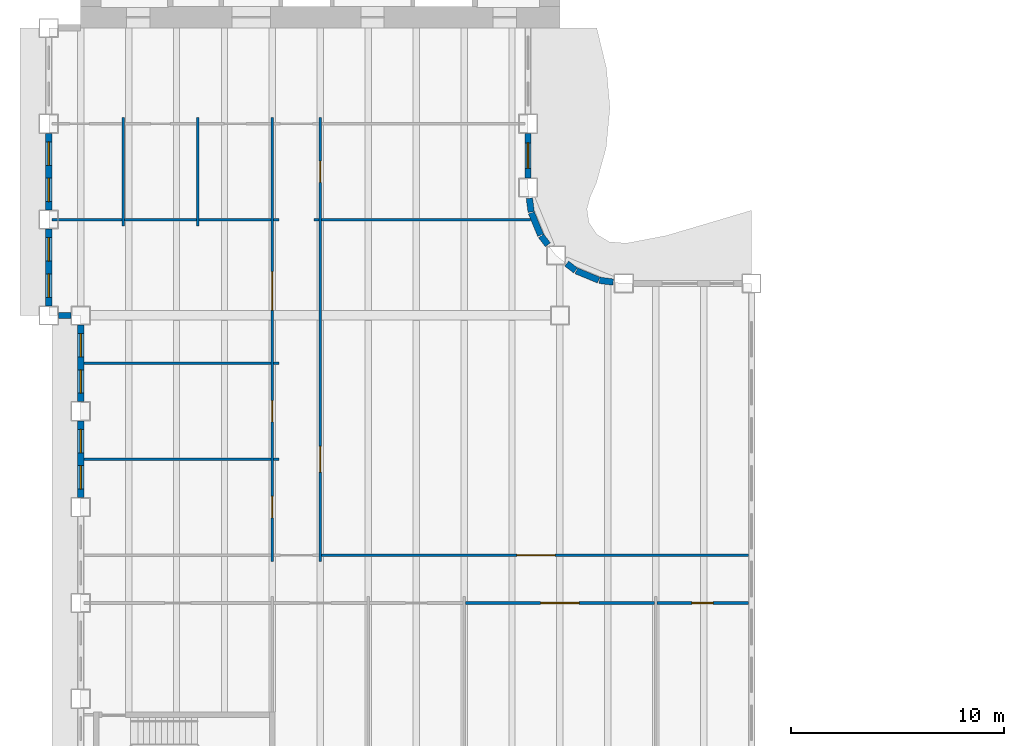
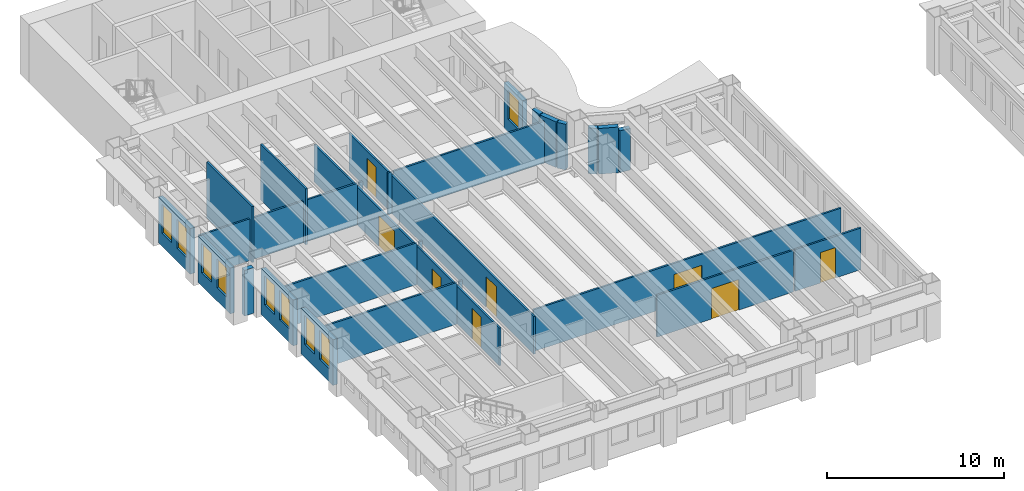
# One storey, part 4 of 13: 29 walls, 9 windows, 8 doors, 17 openings.
"""IFC4 building model written with IfcOpenShell, lengths in metres."""

from ifc_helpers import new_model, si_unit, direction, frame, frame_2d, origin, place, context, subcontext, project, spatial, rectangle, extrude, material, layer, layer_set, type_object, element, fill, save


model = new_model("IFC4")

# Units and contexts
model_context = context("Model", 3, precision=1e-05, world=origin(), true_north=direction((0.0, 1.0)))
body_context = subcontext(model_context, "Body", "Model", "MODEL_VIEW")
ifc_project = project(units=[si_unit("LENGTHUNIT", "METRE"), si_unit("AREAUNIT", "SQUARE_METRE"), si_unit("VOLUMEUNIT", "CUBIC_METRE"), si_unit("PLANEANGLEUNIT", "RADIAN"), si_unit("MASSUNIT", "GRAM", prefix="KILO")], contexts=[model_context])

# Site, building, storey
site_placement = place(None, origin())
site = spatial("IfcSite", under=ifc_project, at=site_placement, CompositionType="ELEMENT")
building_placement = place(site_placement, origin())
building = spatial("IfcBuilding", under=site, at=building_placement, Name="Sennacour Bend Tower", CompositionType="ELEMENT")
storey_placement = place(building_placement, frame((0.0, 0.0, 143.0)))
storey = spatial("IfcBuildingStorey", under=building, at=storey_placement, Name="L32", CompositionType="ELEMENT", Elevation=143.0)

# Walls
ifc_material_1 = material(Name="Plasterboard partition on steel studs", Category="steel")
ifc_layer_1 = layer(ifc_material_1, 0.1201171875, Name="Plasterboard partition on steel studs", Category="steel")
ifc_layer_set_1 = layer_set([ifc_layer_1], Name="Plasterboard partition on steel studs")
wall_type_1 = type_object("IfcWallType", Name="Partition 120", PredefinedType="PARTITIONING", material=ifc_layer_set_1)
for number, where, z_axis, x_axis, name in (
    (1, (2.0, 26.699951171875, 0.0), (0.0, 0.0, 1.0), (0.0, 1.0, 0.0), "P-L32-W004a"),
    (2, (5.5, 26.699951171875, 0.0), (0.0, 0.0, 1.0), (0.0, 1.0, 0.0), "P-L32-W007a"),
):
    element("IfcWall", number, at=place(storey_placement, frame(where, z_axis=z_axis, x_axis=x_axis)), inside=storey, type_object=wall_type_1, Name=name, PredefinedType="PARTITIONING", context=body_context, shape_type="SweptSolid", body=[
        extrude(rectangle(XDim=5.10009765625, YDim=0.1201171875, at=frame_2d((2.550048828125, 0.0))), origin(), (0.0, 0.0, 1.0), 3.85009765625),
    ])

# Wall, openings, doors
wall_1_placement = place(storey_placement, frame((9.0, 10.949951171875, 0.0), z_axis=(0.0, 0.0, 1.0), x_axis=(0.0, 1.0, 0.0)))
wall_1 = element("IfcWall", 3, at=wall_1_placement, inside=storey, type_object=wall_type_1, Name="P-L32-W012a", PredefinedType="PARTITIONING", context=body_context, shape_type="SweptSolid", body=[
    extrude(rectangle(XDim=20.85009765625, YDim=0.1201171875, at=frame_2d((10.425048828125, 0.0))), origin(), (0.0, 0.0, 1.0), 2.60009765625),
])
opening_1_placement = place(wall_1_placement, frame((2.050048828125, 0.0, 0.0)))
opening_1 = element("IfcOpeningElement", 4, at=opening_1_placement, cuts=wall_1, Name="Opening OD2", PredefinedType="OPENING", context=body_context, shape_type="SweptSolid", body=[
    extrude(rectangle(XDim=1.0, YDim=2.10009765625, at=frame_2d((0.5, 1.050048828125))), frame((0.0, 0.070068359375, 0.0), z_axis=(0.0, -1.0, 0.0), x_axis=(1.0, 0.0, 0.0)), (0.0, 0.0, 1.0), 0.14013671875),
])
opening_2_placement = place(wall_1_placement, frame((6.550048828125, 0.0, 0.0)))
opening_2 = element("IfcOpeningElement", 5, at=opening_2_placement, cuts=wall_1, Name="Opening OD2", PredefinedType="OPENING", context=body_context, shape_type="SweptSolid", body=[
    extrude(rectangle(XDim=1.0, YDim=2.10009765625, at=frame_2d((0.5, 1.050048828125))), frame((0.0, 0.070068359375, 0.0), z_axis=(0.0, -1.0, 0.0), x_axis=(1.0, 0.0, 0.0)), (0.0, 0.0, 1.0), 0.14013671875),
])
opening_3_placement = place(wall_1_placement, frame((11.804931640625, 0.0, 0.0)))
opening_3 = element("IfcOpeningElement", 6, at=opening_3_placement, cuts=wall_1, Name="Opening OD3", PredefinedType="OPENING", context=body_context, shape_type="SweptSolid", body=[
    extrude(rectangle(XDim=1.800048828125, YDim=2.10009765625, at=frame_2d((0.89990234375, 1.050048828125))), frame((0.0, 0.070068359375, 0.0), z_axis=(0.0, -1.0, 0.0), x_axis=(1.0, 0.0, 0.0)), (0.0, 0.0, 1.0), 0.14013671875),
])
ifc_material_2 = material(Name="Timber", Category="wood")
door_type_1 = type_object("IfcDoorType", Name="DR-OFFICE-1000", OperationType="NOTDEFINED", PredefinedType="DOOR", material=ifc_material_2)
door_1_placement = place(opening_1_placement, origin())
door_1 = element("IfcDoor", 7, at=door_1_placement, inside=storey, type_object=door_type_1, Name="Door", OperationType="SINGLE_SWING_LEFT", OverallHeight=2.10009765625, OverallWidth=1.0, PredefinedType="DOOR", context=body_context, shape_type="SweptSolid", body=[
    extrude(rectangle(XDim=1.0, YDim=2.10009765625, at=frame_2d((0.5, 1.050048828125))), frame((0.0, 0.02490234375, 0.0), z_axis=(0.0, -1.0, 0.0), x_axis=(1.0, 0.0, 0.0)), (0.0, 0.0, 1.0), 0.050048828125),
])
fill(opening_1, door_1)
door_2_placement = place(opening_2_placement, origin())
door_2 = element("IfcDoor", 8, at=door_2_placement, inside=storey, type_object=door_type_1, Name="Door", OperationType="SINGLE_SWING_LEFT", OverallHeight=2.10009765625, OverallWidth=1.0, PredefinedType="DOOR", context=body_context, shape_type="SweptSolid", body=[
    extrude(rectangle(XDim=1.0, YDim=2.10009765625, at=frame_2d((0.5, 1.050048828125))), frame((0.0, 0.02490234375, 0.0), z_axis=(0.0, -1.0, 0.0), x_axis=(1.0, 0.0, 0.0)), (0.0, 0.0, 1.0), 0.050048828125),
])
fill(opening_2, door_2)
door_type_2 = type_object("IfcDoorType", Name="DR-OFFICE-1800", OperationType="NOTDEFINED", PredefinedType="DOOR", material=ifc_material_2)
door_3_placement = place(opening_3_placement, origin())
door_3 = element("IfcDoor", 9, at=door_3_placement, inside=storey, type_object=door_type_2, Name="Door", OperationType="DOUBLE_DOOR_SINGLE_SWING", OverallHeight=2.10009765625, OverallWidth=1.800048828125, PredefinedType="DOOR", context=body_context, shape_type="SweptSolid", body=[
    extrude(rectangle(XDim=1.800048828125, YDim=2.10009765625, at=frame_2d((0.89990234375, 1.050048828125))), frame((0.0, 0.02490234375, 0.0), z_axis=(0.0, -1.0, 0.0), x_axis=(1.0, 0.0, 0.0)), (0.0, 0.0, 1.0), 0.050048828125),
])
fill(opening_3, door_3)

wall_2_placement = place(storey_placement, frame((11.25, 10.949951171875, 0.0), z_axis=(0.0, 0.0, 1.0), x_axis=(0.0, 1.0, 0.0)))
wall_2 = element("IfcWall", 10, at=wall_2_placement, inside=storey, type_object=wall_type_1, Name="P-L32-W014a", PredefinedType="PARTITIONING", context=body_context, shape_type="SweptSolid", body=[
    extrude(rectangle(XDim=20.85009765625, YDim=0.1201171875, at=frame_2d((10.425048828125, 0.0))), origin(), (0.0, 0.0, 1.0), 2.60009765625),
])
opening_4_placement = place(wall_2_placement, frame((17.800048828125, 0.0, 0.0)))
opening_4 = element("IfcOpeningElement", 11, at=opening_4_placement, cuts=wall_2, Name="Opening OD2", PredefinedType="OPENING", context=body_context, shape_type="SweptSolid", body=[
    extrude(rectangle(XDim=1.0, YDim=2.10009765625, at=frame_2d((0.5, 1.050048828125))), frame((0.0, 0.070068359375, 0.0), z_axis=(0.0, -1.0, 0.0), x_axis=(1.0, 0.0, 0.0)), (0.0, 0.0, 1.0), 0.14013671875),
])
opening_5_placement = place(wall_2_placement, frame((4.199951171875, 0.0, 0.0)))
opening_5 = element("IfcOpeningElement", 12, at=opening_5_placement, cuts=wall_2, Name="Opening OD", PredefinedType="OPENING", context=body_context, shape_type="SweptSolid", body=[
    extrude(rectangle(XDim=1.199951171875, YDim=2.10009765625, at=frame_2d((0.60009765625, 1.050048828125))), frame((0.0, 0.070068359375, 0.0), z_axis=(0.0, -1.0, 0.0), x_axis=(1.0, 0.0, 0.0)), (0.0, 0.0, 1.0), 0.14013671875),
])
door_4_placement = place(opening_4_placement, origin())
door_4 = element("IfcDoor", 13, at=door_4_placement, inside=storey, type_object=door_type_1, Name="Door", OperationType="SINGLE_SWING_RIGHT", OverallHeight=2.10009765625, OverallWidth=1.0, PredefinedType="DOOR", context=body_context, shape_type="SweptSolid", body=[
    extrude(rectangle(XDim=1.0, YDim=2.10009765625, at=frame_2d((0.5, 1.050048828125))), frame((0.0, 0.02490234375, 0.0), z_axis=(0.0, -1.0, 0.0), x_axis=(1.0, 0.0, 0.0)), (0.0, 0.0, 1.0), 0.050048828125),
])
fill(opening_4, door_4)
door_type_3 = type_object("IfcDoorType", Name="DR-OFFICE-1200", OperationType="NOTDEFINED", PredefinedType="DOOR", material=ifc_material_2)
door_5_placement = place(opening_5_placement, origin())
door_5 = element("IfcDoor", 14, at=door_5_placement, inside=storey, type_object=door_type_3, Name="Door", OperationType="SINGLE_SWING_LEFT", OverallHeight=2.10009765625, OverallWidth=1.199951171875, PredefinedType="DOOR", context=body_context, shape_type="SweptSolid", body=[
    extrude(rectangle(XDim=1.199951171875, YDim=2.10009765625, at=frame_2d((0.60009765625, 1.050048828125))), frame((0.0, 0.02490234375, 0.0), z_axis=(0.0, -1.0, 0.0), x_axis=(1.0, 0.0, 0.0)), (0.0, 0.0, 1.0), 0.050048828125),
])
fill(opening_5, door_5)

# Wall, opening, door
wall_3_placement = place(storey_placement, frame((18.06005859375, 9.0, 0.0), z_axis=(0.0, 0.0, 1.0), x_axis=(1.0, 0.0, 0.0)))
wall_3 = element("IfcWall", 15, at=wall_3_placement, inside=storey, type_object=wall_type_1, Name="P-L32-W051ad", PredefinedType="PARTITIONING", context=body_context, shape_type="SweptSolid", body=[
    extrude(rectangle(XDim=8.8798828125, YDim=0.1201171875, at=frame_2d((4.43994140625, 0.0))), origin(), (0.0, 0.0, 1.0), 2.8701171875),
])
opening_6_placement = place(wall_3_placement, frame((3.539794921875, 0.0, 0.0)))
opening_6 = element("IfcOpeningElement", 16, at=opening_6_placement, cuts=wall_3, Name="Opening OD3", PredefinedType="OPENING", context=body_context, shape_type="SweptSolid", body=[
    extrude(rectangle(XDim=1.800048828125, YDim=2.10009765625, at=frame_2d((0.89990234375, 1.050048828125))), frame((0.0, 0.070068359375, 0.0), z_axis=(0.0, -1.0, 0.0), x_axis=(1.0, 0.0, 0.0)), (0.0, 0.0, 1.0), 0.14013671875),
])
door_6_placement = place(opening_6_placement, origin())
door_6 = element("IfcDoor", 17, at=door_6_placement, inside=storey, type_object=door_type_2, Name="Door", OperationType="DOUBLE_DOOR_SINGLE_SWING", OverallHeight=2.10009765625, OverallWidth=1.800048828125, PredefinedType="DOOR", context=body_context, shape_type="SweptSolid", body=[
    extrude(rectangle(XDim=1.800048828125, YDim=2.10009765625, at=frame_2d((0.89990234375, 1.050048828125))), frame((0.0, 0.02490234375, 0.0), z_axis=(0.0, -1.0, 0.0), x_axis=(1.0, 0.0, 0.0)), (0.0, 0.0, 1.0), 0.050048828125),
])
fill(opening_6, door_6)

wall_4_placement = place(storey_placement, frame((27.06005859375, 9.0, 0.0), z_axis=(0.0, 0.0, 1.0), x_axis=(1.0, 0.0, 0.0)))
wall_4 = element("IfcWall", 18, at=wall_4_placement, inside=storey, type_object=wall_type_1, Name="P-L32-W051ae", PredefinedType="PARTITIONING", context=body_context, shape_type="SweptSolid", body=[
    extrude(rectangle(XDim=4.2900390625, YDim=0.1201171875, at=frame_2d((2.14501953125, 0.0))), origin(), (0.0, 0.0, 1.0), 2.8701171875),
])
opening_7_placement = place(wall_4_placement, frame((1.635009765625, 0.0, 0.0)))
opening_7 = element("IfcOpeningElement", 19, at=opening_7_placement, cuts=wall_4, Name="Opening OD2", PredefinedType="OPENING", context=body_context, shape_type="SweptSolid", body=[
    extrude(rectangle(XDim=1.0, YDim=2.10009765625, at=frame_2d((0.5, 1.050048828125))), frame((0.0, 0.070068359375, 0.0), z_axis=(0.0, -1.0, 0.0), x_axis=(1.0, 0.0, 0.0)), (0.0, 0.0, 1.0), 0.14013671875),
])
door_7_placement = place(opening_7_placement, origin())
door_7 = element("IfcDoor", 20, at=door_7_placement, inside=storey, type_object=door_type_1, Name="Door", OperationType="SINGLE_SWING_LEFT", OverallHeight=2.10009765625, OverallWidth=1.0, PredefinedType="DOOR", context=body_context, shape_type="SweptSolid", body=[
    extrude(rectangle(XDim=1.0, YDim=2.10009765625, at=frame_2d((0.5, 1.050048828125))), frame((0.0, 0.02490234375, 0.0), z_axis=(0.0, -1.0, 0.0), x_axis=(1.0, 0.0, 0.0)), (0.0, 0.0, 1.0), 0.050048828125),
])
fill(opening_7, door_7)

wall_5_placement = place(storey_placement, frame((11.31005859375, 11.25, 0.0), z_axis=(0.0, 0.0, 1.0), x_axis=(1.0, 0.0, 0.0)))
wall_5 = element("IfcWall", 21, at=wall_5_placement, inside=storey, type_object=wall_type_1, Name="P-L32-W054ac", PredefinedType="PARTITIONING", context=body_context, shape_type="SweptSolid", body=[
    extrude(rectangle(XDim=20.0400390625, YDim=0.1201171875, at=frame_2d((10.02001953125, 0.0))), origin(), (0.0, 0.0, 1.0), 2.8701171875),
])
opening_8_placement = place(wall_5_placement, frame((9.164794921875, 0.0, 0.0)))
opening_8 = element("IfcOpeningElement", 22, at=opening_8_placement, cuts=wall_5, Name="Opening OD3", PredefinedType="OPENING", context=body_context, shape_type="SweptSolid", body=[
    extrude(rectangle(XDim=1.800048828125, YDim=2.10009765625, at=frame_2d((0.89990234375, 1.050048828125))), frame((0.0, 0.070068359375, 0.0), z_axis=(0.0, -1.0, 0.0), x_axis=(1.0, 0.0, 0.0)), (0.0, 0.0, 1.0), 0.14013671875),
])
door_8_placement = place(opening_8_placement, origin())
door_8 = element("IfcDoor", 23, at=door_8_placement, inside=storey, type_object=door_type_2, Name="Door", OperationType="DOUBLE_DOOR_SINGLE_SWING", OverallHeight=2.10009765625, OverallWidth=1.800048828125, PredefinedType="DOOR", context=body_context, shape_type="SweptSolid", body=[
    extrude(rectangle(XDim=1.800048828125, YDim=2.10009765625, at=frame_2d((0.89990234375, 1.050048828125))), frame((0.0, 0.02490234375, 0.0), z_axis=(0.0, -1.0, 0.0), x_axis=(1.0, 0.0, 0.0)), (0.0, 0.0, 1.0), 0.050048828125),
])
fill(opening_8, door_8)

# Walls
wall_6_placement = place(storey_placement, frame((0.14990234375, 15.75, 0.0), z_axis=(0.0, 0.0, 1.0), x_axis=(1.0, 0.0, 0.0)))
element("IfcWall", 24, at=wall_6_placement, inside=storey, type_object=wall_type_1, Name="P-L32-W058aa", PredefinedType="PARTITIONING", context=body_context, shape_type="SweptSolid", body=[
    extrude(rectangle(XDim=8.7900390625, YDim=0.1201171875, at=frame_2d((4.39501953125, 0.0))), origin(), (0.0, 0.0, 1.0), 2.8701171875),
])
wall_7_placement = place(storey_placement, frame((9.06005859375, 15.75, 0.0), z_axis=(0.0, 0.0, 1.0), x_axis=(1.0, 0.0, 0.0)))
element("IfcWall", 25, at=wall_7_placement, inside=storey, type_object=wall_type_1, Name="P-L32-W058ab", PredefinedType="PARTITIONING", context=body_context, shape_type="SweptSolid", body=[
    extrude(rectangle(XDim=0.239990234375, YDim=0.1201171875, at=frame_2d((0.1201171875, 0.0))), origin(), (0.0, 0.0, 1.0), 2.8701171875),
])
wall_8_placement = place(storey_placement, frame((0.14990234375, 20.25, 0.0), z_axis=(0.0, 0.0, 1.0), x_axis=(1.0, 0.0, 0.0)))
element("IfcWall", 26, at=wall_8_placement, inside=storey, type_object=wall_type_1, Name="P-L32-W063aa", PredefinedType="PARTITIONING", context=body_context, shape_type="SweptSolid", body=[
    extrude(rectangle(XDim=8.7900390625, YDim=0.1201171875, at=frame_2d((4.39501953125, 0.0))), origin(), (0.0, 0.0, 1.0), 2.8701171875),
])
wall_9_placement = place(storey_placement, frame((9.06005859375, 20.25, 0.0), z_axis=(0.0, 0.0, 1.0), x_axis=(1.0, 0.0, 0.0)))
element("IfcWall", 27, at=wall_9_placement, inside=storey, type_object=wall_type_1, Name="P-L32-W063ab", PredefinedType="PARTITIONING", context=body_context, shape_type="SweptSolid", body=[
    extrude(rectangle(XDim=0.239990234375, YDim=0.1201171875, at=frame_2d((0.1201171875, 0.0))), origin(), (0.0, 0.0, 1.0), 2.8701171875),
])
wall_10_placement = place(storey_placement, frame((-1.35009765625, 27.0, 0.0), z_axis=(0.0, 0.0, 1.0), x_axis=(1.0, 0.0, 0.0)))
element("IfcWall", 28, at=wall_10_placement, inside=storey, type_object=wall_type_1, Name="P-L32-W067aa", PredefinedType="PARTITIONING", context=body_context, shape_type="SweptSolid", body=[
    extrude(rectangle(XDim=3.2900390625, YDim=0.1201171875, at=frame_2d((1.64501953125, 0.0))), origin(), (0.0, 0.0, 1.0), 2.8701171875),
])
for number, where, z_axis, x_axis, name in (
    (29, (2.06005859375, 27.0, 0.0), (0.0, 0.0, 1.0), (1.0, 0.0, 0.0), "P-L32-W067ab"),
    (30, (5.56005859375, 27.0, 0.0), (0.0, 0.0, 1.0), (1.0, 0.0, 0.0), "P-L32-W067ac"),
):
    element("IfcWall", number, at=place(storey_placement, frame(where, z_axis=z_axis, x_axis=x_axis)), inside=storey, type_object=wall_type_1, Name=name, PredefinedType="PARTITIONING", context=body_context, shape_type="SweptSolid", body=[
        extrude(rectangle(XDim=3.3798828125, YDim=0.1201171875, at=frame_2d((1.68994140625, 0.0))), origin(), (0.0, 0.0, 1.0), 2.8701171875),
    ])
for number, where, z_axis, x_axis, name in (
    (31, (9.06005859375, 27.0, 0.0), (0.0, 0.0, 1.0), (1.0, 0.0, 0.0), "P-L32-W067ad"),
    (32, (10.949951171875, 27.0, 0.0), (0.0, 0.0, 1.0), (1.0, 0.0, 0.0), "P-L32-W068aa"),
):
    element("IfcWall", number, at=place(storey_placement, frame(where, z_axis=z_axis, x_axis=x_axis)), inside=storey, type_object=wall_type_1, Name=name, PredefinedType="PARTITIONING", context=body_context, shape_type="SweptSolid", body=[
        extrude(rectangle(XDim=0.239990234375, YDim=0.1201171875, at=frame_2d((0.1201171875, 0.0))), origin(), (0.0, 0.0, 1.0), 2.8701171875),
    ])
wall_11_placement = place(storey_placement, frame((11.31005859375, 27.0, 0.0), z_axis=(0.0, 0.0, 1.0), x_axis=(1.0, 0.0, 0.0)))
element("IfcWall", 33, at=wall_11_placement, inside=storey, type_object=wall_type_1, Name="P-L32-W068ab", PredefinedType="PARTITIONING", context=body_context, shape_type="SweptSolid", body=[
    extrude(rectangle(XDim=9.81982421875, YDim=0.1201171875, at=frame_2d((4.909912109375, 0.0))), origin(), (0.0, 0.0, 1.0), 2.8701171875),
])
ifc_material_3 = material(Name="Warm limestone cladding", Category="masonry")
ifc_layer_2 = layer(ifc_material_3, 0.050048828125, Name="Warm limestone cladding", Category="masonry")
ifc_material_4 = material(Name="Precast concrete C40/50", Category="concrete")
ifc_layer_3 = layer(ifc_material_4, 0.25, Name="Precast concrete C40/50", Category="concrete")
ifc_layer_set_2 = layer_set([ifc_layer_2, ifc_layer_3], Name="Precast concrete C40/50 with limestone cladding")
wall_type_2 = type_object("IfcWallType", Name="STONE-CLAD PRECAST SPANDREL 300", PredefinedType="STANDARD", material=ifc_layer_set_2)
wall_12_placement = place(storey_placement, frame((24.99951171875, 24.06591796875, 0.0), z_axis=(0.0, 0.0, 1.0), x_axis=(-0.991423590996, 0.130687655177, 0.0)))
element("IfcWall", 34, at=wall_12_placement, inside=storey, type_object=wall_type_2, Name="Stone spandrel and pier wall L32 09.00", PredefinedType="STANDARD", context=body_context, shape_type="SweptSolid", body=[
    extrude(rectangle(XDim=0.650146484375, YDim=0.300048828125, at=frame_2d((0.3251953125, 0.0))), origin(), (0.0, 0.0, 1.0), 2.8701171875),
])
wall_13_placement = place(storey_placement, frame((24.317138671875, 24.160888671875, 0.0), z_axis=(0.0, 0.0, 1.0), x_axis=(-0.923914616768, 0.382598720491, 0.0)))
element("IfcWall", 35, at=wall_13_placement, inside=storey, type_object=wall_type_2, Name="Stone spandrel and pier wall L32 10.00", PredefinedType="STANDARD", context=body_context, shape_type="SweptSolid", body=[
    extrude(rectangle(XDim=1.13525390625, YDim=0.300048828125, at=frame_2d((0.567626953125, 0.0))), origin(), (0.0, 0.0, 1.0), 3.14892578125),
])
for number, where, z_axis, x_axis, name in (
    (36, (23.234375, 24.614990234375, 0.0), (0.0, 0.0, 1.0), (-0.793523857856, 0.608539141726, 0.0), "Stone spandrel and pier wall L32 11.00"),
    (37, (21.933837890625, 25.818603515625, 0.0), (0.0, 0.0, 1.0), (-0.608539141726, 0.793523857856, 0.0), "Stone spandrel and pier wall L32 12.00"),
):
    element("IfcWall", number, at=place(storey_placement, frame(where, z_axis=z_axis, x_axis=x_axis)), inside=storey, type_object=wall_type_2, Name=name, PredefinedType="STANDARD", context=body_context, shape_type="SweptSolid", body=[
        extrude(rectangle(XDim=0.52392578125, YDim=0.300048828125, at=frame_2d((0.261962890625, 0.0))), origin(), (0.0, 0.0, 1.0), 3.14892578125),
    ])
wall_14_placement = place(storey_placement, frame((21.59521484375, 26.268310546875, 0.0), z_axis=(0.0, 0.0, 1.0), x_axis=(-0.382598720491, 0.923914616768, 0.0)))
element("IfcWall", 38, at=wall_14_placement, inside=storey, type_object=wall_type_2, Name="Stone spandrel and pier wall L32 13.00", PredefinedType="STANDARD", context=body_context, shape_type="SweptSolid", body=[
    extrude(rectangle(XDim=1.13525390625, YDim=0.300048828125, at=frame_2d((0.567626953125, 0.0))), origin(), (0.0, 0.0, 1.0), 3.14892578125),
])
wall_15_placement = place(storey_placement, frame((21.15087890625, 27.35498046875, 0.0), z_axis=(0.0, 0.0, 1.0), x_axis=(-0.130687655177, 0.991423590996, 0.0)))
element("IfcWall", 39, at=wall_15_placement, inside=storey, type_object=wall_type_2, Name="Stone spandrel and pier wall L32 14.00", PredefinedType="STANDARD", context=body_context, shape_type="SweptSolid", body=[
    extrude(rectangle(XDim=0.650146484375, YDim=0.300048828125, at=frame_2d((0.3251953125, 0.0))), origin(), (0.0, 0.0, 1.0), 3.14892578125),
])

# Wall, opening, window
wall_16_placement = place(storey_placement, frame((21.0, 28.949951171875, 0.0), z_axis=(0.0, 0.0, 1.0), x_axis=(0.0, 1.0, 0.0)))
wall_16 = element("IfcWall", 40, at=wall_16_placement, inside=storey, type_object=wall_type_2, Name="Stone spandrel and pier wall L32 15.00", PredefinedType="STANDARD", context=body_context, shape_type="SweptSolid", body=[
    extrude(rectangle(XDim=2.10009765625, YDim=0.300048828125, at=frame_2d((1.050048828125, 0.0))), origin(), (0.0, 0.0, 1.0), 3.14892578125),
])
opening_9_placement = place(wall_16_placement, frame((0.449951171875, 0.0, 0.89990234375)))
opening_9 = element("IfcOpeningElement", 41, at=opening_9_placement, cuts=wall_16, Name="Opening W14", PredefinedType="OPENING", context=body_context, shape_type="SweptSolid", body=[
    extrude(rectangle(XDim=1.199951171875, YDim=2.0, at=frame_2d((0.60009765625, 1.0))), frame((0.0, 0.16015625, 0.0), z_axis=(0.0, -1.0, 0.0), x_axis=(1.0, 0.0, 0.0)), (0.0, 0.0, 1.0), 0.320068359375),
])
ifc_material_5 = material(Name="Clear low-emissivity glass", Category="glass")
window_type_1 = type_object("IfcWindowType", Name="WIN-RIBBON-1200x2000", PartitioningType="SINGLE_PANEL", PredefinedType="WINDOW", material=ifc_material_5)
window_1_placement = place(opening_9_placement, origin())
window_1 = element("IfcWindow", 42, at=window_1_placement, inside=storey, type_object=window_type_1, Name="Ribbon window L32 15.00", OverallHeight=2.0, OverallWidth=1.199951171875, PartitioningType="SINGLE_PANEL", PredefinedType="WINDOW", context=body_context, shape_type="SweptSolid", body=[
    extrude(rectangle(XDim=1.199951171875, YDim=2.0, at=frame_2d((0.60009765625, 1.0))), frame((0.0, 0.030029296875, 0.0), z_axis=(0.0, -1.0, 0.0), x_axis=(1.0, 0.0, 0.0)), (0.0, 0.0, 1.0), 0.06005859375),
])
fill(opening_9, window_1)

# Wall, openings, windows
wall_17_placement = place(storey_placement, frame((-1.5, 31.050048828125, 0.0), z_axis=(0.0, 0.0, 1.0), x_axis=(0.0, -1.0, 0.0)))
wall_17 = element("IfcWall", 43, at=wall_17_placement, inside=storey, type_object=wall_type_2, Name="Stone spandrel and pier wall L32 21.01", PredefinedType="STANDARD", context=body_context, shape_type="SweptSolid", body=[
    extrude(rectangle(XDim=3.60009765625, YDim=0.300048828125, at=frame_2d((1.800048828125, 0.0))), origin(), (0.0, 0.0, 1.0), 3.14892578125),
])
opening_10_placement = place(wall_17_placement, frame((0.39990234375, 0.0, 0.89990234375)))
opening_10 = element("IfcOpeningElement", 44, at=opening_10_placement, cuts=wall_17, Name="Opening W19", PredefinedType="OPENING", context=body_context, shape_type="SweptSolid", body=[
    extrude(rectangle(XDim=1.10009765625, YDim=2.0, at=frame_2d((0.550048828125, 1.0))), frame((0.0, 0.16015625, 0.0), z_axis=(0.0, -1.0, 0.0), x_axis=(1.0, 0.0, 0.0)), (0.0, 0.0, 1.0), 0.320068359375),
])
opening_11_placement = place(wall_17_placement, frame((2.10009765625, 0.0, 0.89990234375)))
opening_11 = element("IfcOpeningElement", 45, at=opening_11_placement, cuts=wall_17, Name="Opening W19", PredefinedType="OPENING", context=body_context, shape_type="SweptSolid", body=[
    extrude(rectangle(XDim=1.10009765625, YDim=2.0, at=frame_2d((0.550048828125, 1.0))), frame((0.0, 0.16015625, 0.0), z_axis=(0.0, -1.0, 0.0), x_axis=(1.0, 0.0, 0.0)), (0.0, 0.0, 1.0), 0.320068359375),
])
window_type_2 = type_object("IfcWindowType", Name="WIN-RIBBON-1100x2000", PartitioningType="SINGLE_PANEL", PredefinedType="WINDOW", material=ifc_material_5)
window_2_placement = place(opening_10_placement, origin())
window_2 = element("IfcWindow", 46, at=window_2_placement, inside=storey, type_object=window_type_2, Name="Ribbon window L32 21.01.0", OverallHeight=2.0, OverallWidth=1.10009765625, PartitioningType="SINGLE_PANEL", PredefinedType="WINDOW", context=body_context, shape_type="SweptSolid", body=[
    extrude(rectangle(XDim=1.10009765625, YDim=2.0, at=frame_2d((0.550048828125, 1.0))), frame((0.0, 0.030029296875, 0.0), z_axis=(0.0, -1.0, 0.0), x_axis=(1.0, 0.0, 0.0)), (0.0, 0.0, 1.0), 0.06005859375),
])
fill(opening_10, window_2)
window_3_placement = place(opening_11_placement, origin())
window_3 = element("IfcWindow", 47, at=window_3_placement, inside=storey, type_object=window_type_2, Name="Ribbon window L32 21.01.1", OverallHeight=2.0, OverallWidth=1.10009765625, PartitioningType="SINGLE_PANEL", PredefinedType="WINDOW", context=body_context, shape_type="SweptSolid", body=[
    extrude(rectangle(XDim=1.10009765625, YDim=2.0, at=frame_2d((0.550048828125, 1.0))), frame((0.0, 0.030029296875, 0.0), z_axis=(0.0, -1.0, 0.0), x_axis=(1.0, 0.0, 0.0)), (0.0, 0.0, 1.0), 0.06005859375),
])
fill(opening_11, window_3)

wall_18_placement = place(storey_placement, frame((-1.5, 26.550048828125, 0.0), z_axis=(0.0, 0.0, 1.0), x_axis=(0.0, -1.0, 0.0)))
wall_18 = element("IfcWall", 48, at=wall_18_placement, inside=storey, type_object=wall_type_2, Name="Stone spandrel and pier wall L32 21.02", PredefinedType="STANDARD", context=body_context, shape_type="SweptSolid", body=[
    extrude(rectangle(XDim=3.60009765625, YDim=0.300048828125, at=frame_2d((1.800048828125, 0.0))), origin(), (0.0, 0.0, 1.0), 3.14892578125),
])
opening_12_placement = place(wall_18_placement, frame((0.39990234375, 0.0, 0.89990234375)))
opening_12 = element("IfcOpeningElement", 49, at=opening_12_placement, cuts=wall_18, Name="Opening W19", PredefinedType="OPENING", context=body_context, shape_type="SweptSolid", body=[
    extrude(rectangle(XDim=1.10009765625, YDim=2.0, at=frame_2d((0.550048828125, 1.0))), frame((0.0, 0.16015625, 0.0), z_axis=(0.0, -1.0, 0.0), x_axis=(1.0, 0.0, 0.0)), (0.0, 0.0, 1.0), 0.320068359375),
])
opening_13_placement = place(wall_18_placement, frame((2.10009765625, 0.0, 0.89990234375)))
opening_13 = element("IfcOpeningElement", 50, at=opening_13_placement, cuts=wall_18, Name="Opening W19", PredefinedType="OPENING", context=body_context, shape_type="SweptSolid", body=[
    extrude(rectangle(XDim=1.10009765625, YDim=2.0, at=frame_2d((0.550048828125, 1.0))), frame((0.0, 0.16015625, 0.0), z_axis=(0.0, -1.0, 0.0), x_axis=(1.0, 0.0, 0.0)), (0.0, 0.0, 1.0), 0.320068359375),
])
window_4_placement = place(opening_12_placement, origin())
window_4 = element("IfcWindow", 51, at=window_4_placement, inside=storey, type_object=window_type_2, Name="Ribbon window L32 21.02.0", OverallHeight=2.0, OverallWidth=1.10009765625, PartitioningType="SINGLE_PANEL", PredefinedType="WINDOW", context=body_context, shape_type="SweptSolid", body=[
    extrude(rectangle(XDim=1.10009765625, YDim=2.0, at=frame_2d((0.550048828125, 1.0))), frame((0.0, 0.030029296875, 0.0), z_axis=(0.0, -1.0, 0.0), x_axis=(1.0, 0.0, 0.0)), (0.0, 0.0, 1.0), 0.06005859375),
])
fill(opening_12, window_4)
window_5_placement = place(opening_13_placement, origin())
window_5 = element("IfcWindow", 52, at=window_5_placement, inside=storey, type_object=window_type_2, Name="Ribbon window L32 21.02.1", OverallHeight=2.0, OverallWidth=1.10009765625, PartitioningType="SINGLE_PANEL", PredefinedType="WINDOW", context=body_context, shape_type="SweptSolid", body=[
    extrude(rectangle(XDim=1.10009765625, YDim=2.0, at=frame_2d((0.550048828125, 1.0))), frame((0.0, 0.030029296875, 0.0), z_axis=(0.0, -1.0, 0.0), x_axis=(1.0, 0.0, 0.0)), (0.0, 0.0, 1.0), 0.06005859375),
])
fill(opening_13, window_5)

# Wall
wall_19_placement = place(storey_placement, frame((-1.050048828125, 22.5, 0.0), z_axis=(0.0, 0.0, 1.0), x_axis=(1.0, 0.0, 0.0)))
element("IfcWall", 53, at=wall_19_placement, inside=storey, type_object=wall_type_2, Name="Stone spandrel and pier wall L32 22.00", PredefinedType="STANDARD", context=body_context, shape_type="SweptSolid", body=[
    extrude(rectangle(XDim=0.60009765625, YDim=0.300048828125, at=frame_2d((0.300048828125, 0.0))), origin(), (0.0, 0.0, 1.0), 3.14892578125),
])

# Wall, openings, windows
wall_20_placement = place(storey_placement, frame((0.0, 22.050048828125, 0.0), z_axis=(0.0, 0.0, 1.0), x_axis=(0.0, -1.0, 0.0)))
wall_20 = element("IfcWall", 54, at=wall_20_placement, inside=storey, type_object=wall_type_2, Name="Stone spandrel and pier wall L32 23.00", PredefinedType="STANDARD", context=body_context, shape_type="SweptSolid", body=[
    extrude(rectangle(XDim=3.60009765625, YDim=0.300048828125, at=frame_2d((1.800048828125, 0.0))), origin(), (0.0, 0.0, 1.0), 3.14892578125),
])
opening_14_placement = place(wall_20_placement, frame((0.39990234375, 0.0, 0.89990234375)))
opening_14 = element("IfcOpeningElement", 55, at=opening_14_placement, cuts=wall_20, Name="Opening W19", PredefinedType="OPENING", context=body_context, shape_type="SweptSolid", body=[
    extrude(rectangle(XDim=1.10009765625, YDim=2.0, at=frame_2d((0.550048828125, 1.0))), frame((0.0, 0.16015625, 0.0), z_axis=(0.0, -1.0, 0.0), x_axis=(1.0, 0.0, 0.0)), (0.0, 0.0, 1.0), 0.320068359375),
])
opening_15_placement = place(wall_20_placement, frame((2.10009765625, 0.0, 0.89990234375)))
opening_15 = element("IfcOpeningElement", 56, at=opening_15_placement, cuts=wall_20, Name="Opening W19", PredefinedType="OPENING", context=body_context, shape_type="SweptSolid", body=[
    extrude(rectangle(XDim=1.10009765625, YDim=2.0, at=frame_2d((0.550048828125, 1.0))), frame((0.0, 0.16015625, 0.0), z_axis=(0.0, -1.0, 0.0), x_axis=(1.0, 0.0, 0.0)), (0.0, 0.0, 1.0), 0.320068359375),
])
window_6_placement = place(opening_14_placement, origin())
window_6 = element("IfcWindow", 57, at=window_6_placement, inside=storey, type_object=window_type_2, Name="Ribbon window L32 23.00.0", OverallHeight=2.0, OverallWidth=1.10009765625, PartitioningType="SINGLE_PANEL", PredefinedType="WINDOW", context=body_context, shape_type="SweptSolid", body=[
    extrude(rectangle(XDim=1.10009765625, YDim=2.0, at=frame_2d((0.550048828125, 1.0))), frame((0.0, 0.030029296875, 0.0), z_axis=(0.0, -1.0, 0.0), x_axis=(1.0, 0.0, 0.0)), (0.0, 0.0, 1.0), 0.06005859375),
])
fill(opening_14, window_6)
window_7_placement = place(opening_15_placement, origin())
window_7 = element("IfcWindow", 58, at=window_7_placement, inside=storey, type_object=window_type_2, Name="Ribbon window L32 23.00.1", OverallHeight=2.0, OverallWidth=1.10009765625, PartitioningType="SINGLE_PANEL", PredefinedType="WINDOW", context=body_context, shape_type="SweptSolid", body=[
    extrude(rectangle(XDim=1.10009765625, YDim=2.0, at=frame_2d((0.550048828125, 1.0))), frame((0.0, 0.030029296875, 0.0), z_axis=(0.0, -1.0, 0.0), x_axis=(1.0, 0.0, 0.0)), (0.0, 0.0, 1.0), 0.06005859375),
])
fill(opening_15, window_7)

wall_21_placement = place(storey_placement, frame((0.0, 17.550048828125, 0.0), z_axis=(0.0, 0.0, 1.0), x_axis=(0.0, -1.0, 0.0)))
wall_21 = element("IfcWall", 59, at=wall_21_placement, inside=storey, type_object=wall_type_2, Name="Stone spandrel and pier wall L32 23.01", PredefinedType="STANDARD", context=body_context, shape_type="SweptSolid", body=[
    extrude(rectangle(XDim=3.60009765625, YDim=0.300048828125, at=frame_2d((1.800048828125, 0.0))), origin(), (0.0, 0.0, 1.0), 3.14892578125),
])
opening_16_placement = place(wall_21_placement, frame((0.39990234375, 0.0, 0.89990234375)))
opening_16 = element("IfcOpeningElement", 60, at=opening_16_placement, cuts=wall_21, Name="Opening W19", PredefinedType="OPENING", context=body_context, shape_type="SweptSolid", body=[
    extrude(rectangle(XDim=1.10009765625, YDim=2.0, at=frame_2d((0.550048828125, 1.0))), frame((0.0, 0.16015625, 0.0), z_axis=(0.0, -1.0, 0.0), x_axis=(1.0, 0.0, 0.0)), (0.0, 0.0, 1.0), 0.320068359375),
])
opening_17_placement = place(wall_21_placement, frame((2.10009765625, 0.0, 0.89990234375)))
opening_17 = element("IfcOpeningElement", 61, at=opening_17_placement, cuts=wall_21, Name="Opening W19", PredefinedType="OPENING", context=body_context, shape_type="SweptSolid", body=[
    extrude(rectangle(XDim=1.10009765625, YDim=2.0, at=frame_2d((0.550048828125, 1.0))), frame((0.0, 0.16015625, 0.0), z_axis=(0.0, -1.0, 0.0), x_axis=(1.0, 0.0, 0.0)), (0.0, 0.0, 1.0), 0.320068359375),
])
window_8_placement = place(opening_16_placement, origin())
window_8 = element("IfcWindow", 62, at=window_8_placement, inside=storey, type_object=window_type_2, Name="Ribbon window L32 23.01.0", OverallHeight=2.0, OverallWidth=1.10009765625, PartitioningType="SINGLE_PANEL", PredefinedType="WINDOW", context=body_context, shape_type="SweptSolid", body=[
    extrude(rectangle(XDim=1.10009765625, YDim=2.0, at=frame_2d((0.550048828125, 1.0))), frame((0.0, 0.030029296875, 0.0), z_axis=(0.0, -1.0, 0.0), x_axis=(1.0, 0.0, 0.0)), (0.0, 0.0, 1.0), 0.06005859375),
])
fill(opening_16, window_8)
window_9_placement = place(opening_17_placement, origin())
window_9 = element("IfcWindow", 63, at=window_9_placement, inside=storey, type_object=window_type_2, Name="Ribbon window L32 23.01.1", OverallHeight=2.0, OverallWidth=1.10009765625, PartitioningType="SINGLE_PANEL", PredefinedType="WINDOW", context=body_context, shape_type="SweptSolid", body=[
    extrude(rectangle(XDim=1.10009765625, YDim=2.0, at=frame_2d((0.550048828125, 1.0))), frame((0.0, 0.030029296875, 0.0), z_axis=(0.0, -1.0, 0.0), x_axis=(1.0, 0.0, 0.0)), (0.0, 0.0, 1.0), 0.06005859375),
])
fill(opening_17, window_9)

save(model, "model.ifc")
